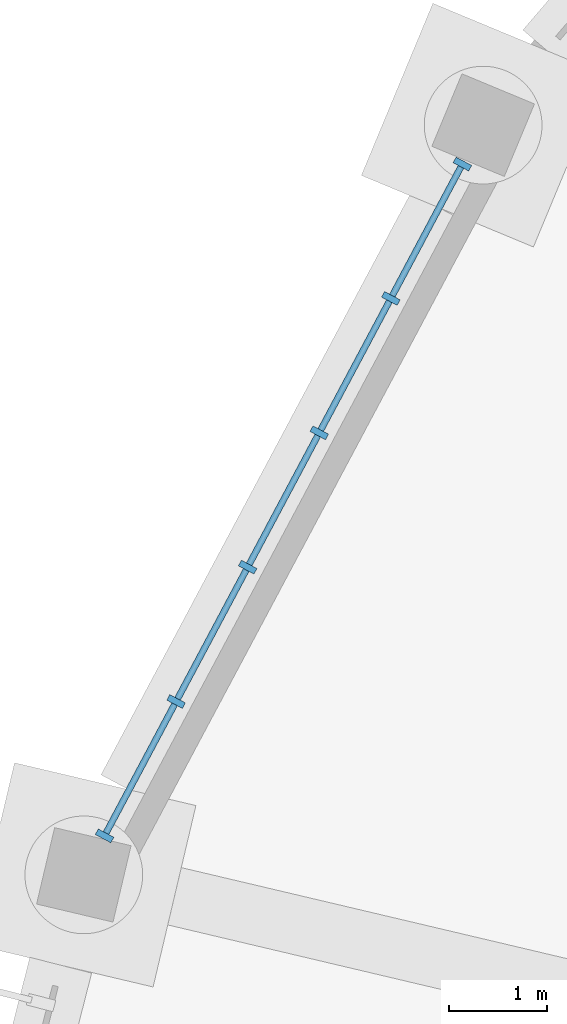
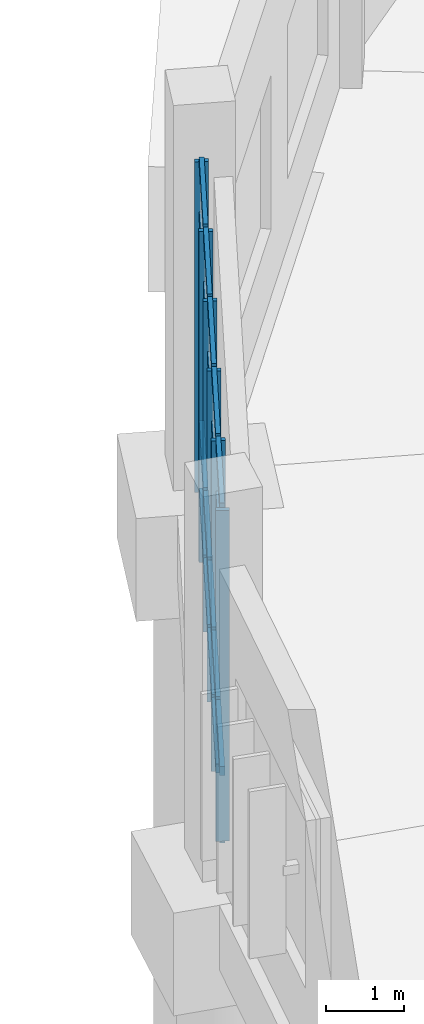
# One storey, part 33 of 140: 26 members, 1 element without a shape of its own.
"""IFC4 building model written with IfcOpenShell, lengths in metres."""

import ifcopenshell
import ifcopenshell.guid

model = None  # the IFC model being written
_history = None  # IfcOwnerHistory: only IFC2X3 demands one
_inside = {}  # id of a spatial element -> (the spatial element, [elements in it])
_under = {}  # id of a project, library or spatial element -> (it, [spatial elements below it])
_declared = {}  # id of a project -> (the project, [libraries it declares])
_typed = {}  # id of a type object -> (the type object, [elements of that type])
_made_of = {}  # id of a material, layer set ... -> (it, [elements and type objects made of it])


def new_model(schema):
    """Start an empty IFC model of exactly this schema.

    Asked for "IFC4X3", IfcOpenShell would pick the latest addendum, in which some entities
    have other attributes; the version numbers below select the first issue.
    IFC2X3 requires an IfcOwnerHistory on every rooted entity: one is made here for all.
    """
    global model, _history
    if schema == "IFC4X3":
        model = ifcopenshell.file(schema_version=(4, 3, 0, 0))
    else:
        model = ifcopenshell.file(schema=schema)
    _inside.clear()
    _under.clear()
    _declared.clear()
    _typed.clear()
    _made_of.clear()
    _history = None
    if model.schema == "IFC2X3":
        org = make("IfcOrganization", Name="unknown")
        user = make(
            "IfcPersonAndOrganization",
            ThePerson=make("IfcPerson", FamilyName="unknown"),
            TheOrganization=org,
        )
        app = make(
            "IfcApplication",
            ApplicationDeveloper=org,
            Version="unknown",
            ApplicationFullName="unknown",
            ApplicationIdentifier="unknown",
        )
        _history = make(
            "IfcOwnerHistory",
            OwningUser=user,
            OwningApplication=app,
            ChangeAction="ADDED",
            CreationDate=0,
        )
    return model


def make(cls, **values):
    """One entity of the class cls with the attributes given. An attribute that is None is left unset."""
    return model.create_entity(
        cls, **{name: value for name, value in values.items() if value is not None}
    )


def rooted(cls, **values):
    """An entity with a GlobalId (a new one), such as an element, a storey or a relation."""
    return make(cls, GlobalId=ifcopenshell.guid.new(), OwnerHistory=_history, **values)


def si_unit(unit_type, name, prefix=None):
    """IfcSIUnit, for example si_unit("LENGTHUNIT", "METRE", prefix="MILLI")."""
    return make("IfcSIUnit", UnitType=unit_type, Prefix=prefix, Name=name)


def assignment(units):
    """IfcUnitAssignment: the units of a project."""
    return None if units is None else make("IfcUnitAssignment", Units=units)


def point(xyz):
    """IfcCartesianPoint."""
    return None if xyz is None else make("IfcCartesianPoint", Coordinates=xyz)


def direction(xyz):
    """IfcDirection."""
    return None if xyz is None else make("IfcDirection", DirectionRatios=xyz)


def frame(location, z_axis=None, x_axis=None):
    """IfcAxis2Placement3D, a coordinate frame: its origin and axes. An axis left out is left unset."""
    return make(
        "IfcAxis2Placement3D",
        Location=point(location),
        Axis=direction(z_axis),
        RefDirection=direction(x_axis),
    )


def frame_2d(location, x_axis=None):
    """IfcAxis2Placement2D, a coordinate frame in the plane: its origin and x axis."""
    return make(
        "IfcAxis2Placement2D", Location=point(location), RefDirection=direction(x_axis)
    )


def origin():
    """The frame at (0, 0, 0) with its axes left unset."""
    return frame((0.0, 0.0, 0.0))


def origin_2d():
    """The frame at (0, 0) in the plane with its x axis left unset."""
    return frame_2d((0.0, 0.0))


def place(relative_to, where):
    """IfcLocalPlacement: puts the frame where relative to a parent placement (None: the world)."""
    return make(
        "IfcLocalPlacement", PlacementRelTo=relative_to, RelativePlacement=where
    )


def context(
    kind, dimensions, precision=None, world=None, true_north=None, identifier=None
):
    """IfcGeometricRepresentationContext, for example the 3D "Model" context."""
    return make(
        "IfcGeometricRepresentationContext",
        ContextIdentifier=identifier,
        ContextType=kind,
        CoordinateSpaceDimension=dimensions,
        Precision=precision,
        WorldCoordinateSystem=world,
        TrueNorth=true_north,
    )


def subcontext(parent, identifier, kind, view, scale=None):
    """IfcGeometricRepresentationSubContext, for example "Body" below "Model"."""
    return make(
        "IfcGeometricRepresentationSubContext",
        ContextIdentifier=identifier,
        ContextType=kind,
        ParentContext=parent,
        TargetScale=scale,
        TargetView=view,
    )


def project(units=None, contexts=None):
    """IfcProject with its units and contexts."""
    return rooted(
        "IfcProject",
        Name="project",
        RepresentationContexts=contexts,
        UnitsInContext=assignment(units),
    )


def spatial(cls, under=None, at=None, **own):
    """A site, building, storey or space (cls), placed at a placement, below another one or the project."""
    s = rooted(cls, ObjectPlacement=at, **own)
    if under is not None:
        _under.setdefault(under.id(), (under, []))[1].append(s)
    return s


def profile(cls, at=None, kind="AREA", **sizes):
    """A parametric profile (cls). Its sizes go by their IFC names, for example OverallWidth=200.0."""
    return make(cls, ProfileType=kind, Position=at, **sizes)


def rectangle(**sizes):
    """IfcRectangleProfileDef."""
    return profile("IfcRectangleProfileDef", **sizes)


def extrude(swept, where, along, depth):
    """IfcExtrudedAreaSolid: the profile swept, set in the frame where, extruded along a direction by depth."""
    return make(
        "IfcExtrudedAreaSolid",
        SweptArea=swept,
        Position=where,
        ExtrudedDirection=direction(along),
        Depth=depth,
    )


def shape(context_of_items, identifier, shape_type, items):
    """IfcShapeRepresentation: the items that make up one representation, for example the "Body"."""
    return make(
        "IfcShapeRepresentation",
        ContextOfItems=context_of_items,
        RepresentationIdentifier=identifier,
        RepresentationType=shape_type,
        Items=items,
    )


def material(Name=None, Category=None):
    """IfcMaterial."""
    return make("IfcMaterial", Name=Name, Category=Category)


def layer(
    of_material, thickness, ventilated=None, Name=None, Category=None, Priority=None
):
    """IfcMaterialLayer: one layer of a wall or slab, of a material (None: an air gap)."""
    return make(
        "IfcMaterialLayer",
        Material=of_material,
        LayerThickness=thickness,
        IsVentilated=ventilated,
        Name=Name,
        Category=Category,
        Priority=Priority,
    )


def layer_set(layers, Name=None):
    """IfcMaterialLayerSet."""
    return make("IfcMaterialLayerSet", MaterialLayers=layers, LayerSetName=Name)


def material_profile(
    of_material, cross_section, Name=None, Category=None, Priority=None
):
    """IfcMaterialProfile: a cross section and its material."""
    return make(
        "IfcMaterialProfile",
        Name=Name,
        Material=of_material,
        Profile=cross_section,
        Priority=Priority,
        Category=Category,
    )


def profile_set(profiles, Name=None, composite=None):
    """IfcMaterialProfileSet."""
    return make(
        "IfcMaterialProfileSet",
        Name=Name,
        MaterialProfiles=profiles,
        CompositeProfile=composite,
    )


def made_of(thing, what):
    """Note that an element or type object is made of a material, layer set ...; save() writes the relation."""
    if what is not None:
        _made_of.setdefault(what.id(), (what, []))[1].append(thing)
    return thing


def type_object(cls, material=None, **own):
    """A type object (cls), such as IfcWallType, which elements share."""
    return made_of(rooted(cls, **own), material)


def element(
    cls,
    number,
    at=None,
    inside=None,
    cuts=None,
    type_object=None,
    material=None,
    context=None,
    identifier="Body",
    shape_type=None,
    held_by="IfcProductDefinitionShape",
    body=None,
    shapes=None,
    **own,
):
    """One element of the class cls, such as IfcWall. Its Tag is "e" and its number.

    at: its placement. inside: the storey or other place that contains it. cuts: it is an
    opening in that element (IfcRelVoidsElement). A single representation is given by context,
    identifier, shape_type and body (its items); several are given by shapes. held_by: the class
    of the entity that holds the representations. save() writes the other relations.
    """
    e = rooted(cls, Tag="e%d" % number, ObjectPlacement=at, **own)
    if body is not None:
        shapes = [shape(context, identifier, shape_type, body)]
    if shapes is not None:
        e.Representation = make(held_by, Representations=shapes)
    if inside is not None:
        _inside.setdefault(inside.id(), (inside, []))[1].append(e)
    if cuts is not None:
        rooted(
            "IfcRelVoidsElement", RelatingBuildingElement=cuts, RelatedOpeningElement=e
        )
    if type_object is not None:
        _typed.setdefault(type_object.id(), (type_object, []))[1].append(e)
    return made_of(e, material)


def aggregate(whole, parts):
    """IfcRelAggregates: a whole, such as a stair, and the parts it consists of."""
    return rooted("IfcRelAggregates", RelatingObject=whole, RelatedObjects=parts)


def save(model, path):
    """Write the relations noted so far, then the file.

    IfcRelAggregates (storeys below a building ...), IfcRelContainedInSpatialStructure (elements
    in a storey), IfcRelDefinesByType, IfcRelAssociatesMaterial and IfcRelDeclares: one each for
    every whole, place, type object, material and project.
    """
    for whole, parts in _under.values():
        aggregate(whole, parts)
    for where, things in _inside.values():
        rooted(
            "IfcRelContainedInSpatialStructure",
            RelatedElements=things,
            RelatingStructure=where,
        )
    for kind, things in _typed.values():
        rooted("IfcRelDefinesByType", RelatedObjects=things, RelatingType=kind)
    for what, things in _made_of.values():
        rooted("IfcRelAssociatesMaterial", RelatedObjects=things, RelatingMaterial=what)
    for by, libraries in _declared.values():
        rooted("IfcRelDeclares", RelatingContext=by, RelatedDefinitions=libraries)
    model.write(path)


model = new_model("IFC4")

# Units and contexts
model_context = context("Model", 3, precision=1e-05, world=origin(), true_north=direction((0.0, 1.0)))
body_context = subcontext(model_context, "Body", "Model", "MODEL_VIEW")
ifc_project = project(units=[si_unit("LENGTHUNIT", "METRE"), si_unit("AREAUNIT", "SQUARE_METRE"), si_unit("VOLUMEUNIT", "CUBIC_METRE"), si_unit("PLANEANGLEUNIT", "RADIAN"), si_unit("MASSUNIT", "GRAM", prefix="KILO")], contexts=[model_context])

# Site, building, storey
site_placement = place(None, origin())
site = spatial("IfcSite", under=ifc_project, at=site_placement, CompositionType="ELEMENT")
building_placement = place(site_placement, origin())
building = spatial("IfcBuilding", under=site, at=building_placement, Name="Corvandel Quay Wholesale Market", CompositionType="ELEMENT")
storey_placement = place(building_placement, origin())
storey = spatial("IfcBuildingStorey", under=building, at=storey_placement, Name="L00", CompositionType="ELEMENT", Elevation=0.0)

# Curtain wall, members
ifc_material_1 = material(Name="Bronze anodised aluminium and low-E insulated glazing", Category="aluminium")
ifc_layer = layer(ifc_material_1, 0.197998046875)
ifc_layer_set = layer_set([ifc_layer], Name="Bronze anodised aluminium and low-E insulated glazing")
curtain_wall_type = type_object("IfcCurtainWallType", Name="Stick Curtain Wall System CW14 H4260", PredefinedType="NOTDEFINED", material=ifc_layer_set)
curtain_wall_placement = place(storey_placement, origin())
curtain_wall = element("IfcCurtainWall", 1, at=curtain_wall_placement, inside=storey, type_object=curtain_wall_type, Name="Curtain Wall CW-0040", PredefinedType="NOTDEFINED")
ifc_material_2 = material(Name="Anodised aluminium 6063-T6", Category="aluminium")
ifc_material_profile_1 = material_profile(ifc_material_2, rectangle(XDim=0.06494140625, YDim=0.179931640625, at=origin_2d()), Name="ALU-MUL-65x180")
ifc_profile_set_1 = profile_set([ifc_material_profile_1], Name="Anodised aluminium 6063-T6")
member_type_1 = type_object("IfcMemberType", Name="Curtain Wall Mullion ML01 65x180", PredefinedType="MULLION", material=ifc_profile_set_1)
member_1_placement = place(storey_placement, frame((65.9345703125, 61.496826171875, 0.0), z_axis=(0.0, 0.0, 1.0), x_axis=(0.470087862033, 0.882619624736, 0.0)))
member_1 = element("IfcMember", 2, at=member_1_placement, type_object=member_type_1, Name="Mullion CW-0040-M00", PredefinedType="MULLION", context=body_context, shape_type="SweptSolid", body=[
    extrude(rectangle(XDim=0.06494140625, YDim=0.179931640625, at=origin_2d()), origin(), (0.0, 0.0, 1.0), 5.14990234375),
])
member_2_placement = place(storey_placement, frame((65.204833984375, 60.127197265625, 0.0), z_axis=(0.0, 0.0, 1.0), x_axis=(0.470087862033, 0.882619624736, 0.0)))
member_2 = element("IfcMember", 3, at=member_2_placement, type_object=member_type_1, Name="Mullion CW-0040-M01", PredefinedType="MULLION", context=body_context, shape_type="SweptSolid", body=[
    extrude(rectangle(XDim=0.06494140625, YDim=0.179931640625, at=origin_2d()), origin(), (0.0, 0.0, 1.0), 5.14990234375),
])
member_3_placement = place(storey_placement, frame((64.475341796875, 58.75732421875, 0.0), z_axis=(0.0, 0.0, 1.0), x_axis=(0.470087862033, 0.882619624736, 0.0)))
member_3 = element("IfcMember", 4, at=member_3_placement, type_object=member_type_1, Name="Mullion CW-0040-M02", PredefinedType="MULLION", context=body_context, shape_type="SweptSolid", body=[
    extrude(rectangle(XDim=0.06494140625, YDim=0.179931640625, at=origin_2d()), origin(), (0.0, 0.0, 1.0), 5.14990234375),
])
member_4_placement = place(storey_placement, frame((63.74560546875, 57.3876953125, 0.0), z_axis=(0.0, 0.0, 1.0), x_axis=(0.470087862033, 0.882619624736, 0.0)))
member_4 = element("IfcMember", 5, at=member_4_placement, type_object=member_type_1, Name="Mullion CW-0040-M03", PredefinedType="MULLION", context=body_context, shape_type="SweptSolid", body=[
    extrude(rectangle(XDim=0.06494140625, YDim=0.179931640625, at=origin_2d()), origin(), (0.0, 0.0, 1.0), 5.14990234375),
])
member_5_placement = place(storey_placement, frame((63.01611328125, 56.017822265625, 0.0), z_axis=(0.0, 0.0, 1.0), x_axis=(0.470087862033, 0.882619624736, 0.0)))
member_5 = element("IfcMember", 6, at=member_5_placement, type_object=member_type_1, Name="Mullion CW-0040-M04", PredefinedType="MULLION", context=body_context, shape_type="SweptSolid", body=[
    extrude(rectangle(XDim=0.06494140625, YDim=0.179931640625, at=origin_2d()), origin(), (0.0, 0.0, 1.0), 5.14990234375),
])
member_6_placement = place(storey_placement, frame((62.28662109375, 54.648193359375, 0.0), z_axis=(0.0, 0.0, 1.0), x_axis=(0.470087862033, 0.882619624736, 0.0)))
member_6 = element("IfcMember", 7, at=member_6_placement, type_object=member_type_1, Name="Mullion CW-0040-M05", PredefinedType="MULLION", context=body_context, shape_type="SweptSolid", body=[
    extrude(rectangle(XDim=0.06494140625, YDim=0.179931640625, at=origin_2d()), origin(), (0.0, 0.0, 1.0), 5.14990234375),
])
ifc_material_profile_2 = material_profile(ifc_material_2, rectangle(XDim=0.06494140625, YDim=0.139892578125, at=origin_2d()), Name="ALU-TRN-65x140")
ifc_profile_set_2 = profile_set([ifc_material_profile_2], Name="Anodised aluminium 6063-T6")
member_type_2 = type_object("IfcMemberType", Name="Curtain Wall Transom TR01 65x140", PredefinedType="USERDEFINED", material=ifc_profile_set_2)
member_7_placement = place(storey_placement, frame((65.919189453125, 61.468017578125, 0.0), z_axis=(-0.470119417089, -0.882602817623, 0.0), x_axis=(0.882602817623, -0.470119417089, 0.0)))
member_7 = element("IfcMember", 8, at=member_7_placement, type_object=member_type_2, Name="Transom CW-0040-T00-0", ObjectType="TRANSOM", PredefinedType="USERDEFINED", context=body_context, shape_type="SweptSolid", body=[
    extrude(rectangle(XDim=0.06494140625, YDim=0.139892578125, at=origin_2d()), origin(), (0.0, 0.0, 1.0), 1.48681640625),
])
member_8_placement = place(storey_placement, frame((65.919189453125, 61.468017578125, 1.050048828125), z_axis=(-0.470119417089, -0.882602817623, 0.0), x_axis=(0.882602817623, -0.470119417089, 0.0)))
member_8 = element("IfcMember", 9, at=member_8_placement, type_object=member_type_2, Name="Transom CW-0040-T00-1", ObjectType="TRANSOM", PredefinedType="USERDEFINED", context=body_context, shape_type="SweptSolid", body=[
    extrude(rectangle(XDim=0.06494140625, YDim=0.139892578125, at=origin_2d()), origin(), (0.0, 0.0, 1.0), 1.48681640625),
])
member_9_placement = place(storey_placement, frame((65.919189453125, 61.468017578125, 4.300048828125), z_axis=(-0.470119417089, -0.882602817623, 0.0), x_axis=(0.882602817623, -0.470119417089, 0.0)))
member_9 = element("IfcMember", 10, at=member_9_placement, type_object=member_type_2, Name="Transom CW-0040-T00-2", ObjectType="TRANSOM", PredefinedType="USERDEFINED", context=body_context, shape_type="SweptSolid", body=[
    extrude(rectangle(XDim=0.06494140625, YDim=0.139892578125, at=origin_2d()), origin(), (0.0, 0.0, 1.0), 1.48681640625),
])
member_10_placement = place(storey_placement, frame((65.919189453125, 61.468017578125, 5.14990234375), z_axis=(-0.470119417089, -0.882602817623, 0.0), x_axis=(0.882602817623, -0.470119417089, 0.0)))
member_10 = element("IfcMember", 11, at=member_10_placement, type_object=member_type_2, Name="Transom CW-0040-T00-3", ObjectType="TRANSOM", PredefinedType="USERDEFINED", context=body_context, shape_type="SweptSolid", body=[
    extrude(rectangle(XDim=0.06494140625, YDim=0.139892578125, at=origin_2d()), origin(), (0.0, 0.0, 1.0), 1.48681640625),
])
member_11_placement = place(storey_placement, frame((65.189697265625, 60.098388671875, 0.0), z_axis=(-0.470179183109, -0.882570980585, 0.0), x_axis=(0.882570980585, -0.470179183109, 0.0)))
member_11 = element("IfcMember", 12, at=member_11_placement, type_object=member_type_2, Name="Transom CW-0040-T01-0", ObjectType="TRANSOM", PredefinedType="USERDEFINED", context=body_context, shape_type="SweptSolid", body=[
    extrude(rectangle(XDim=0.06494140625, YDim=0.139892578125, at=origin_2d()), origin(), (0.0, 0.0, 1.0), 1.487060546875),
])
member_12_placement = place(storey_placement, frame((65.189697265625, 60.098388671875, 1.050048828125), z_axis=(-0.470179183109, -0.882570980585, 0.0), x_axis=(0.882570980585, -0.470179183109, 0.0)))
member_12 = element("IfcMember", 13, at=member_12_placement, type_object=member_type_2, Name="Transom CW-0040-T01-1", ObjectType="TRANSOM", PredefinedType="USERDEFINED", context=body_context, shape_type="SweptSolid", body=[
    extrude(rectangle(XDim=0.06494140625, YDim=0.139892578125, at=origin_2d()), origin(), (0.0, 0.0, 1.0), 1.487060546875),
])
member_13_placement = place(storey_placement, frame((65.189697265625, 60.098388671875, 4.300048828125), z_axis=(-0.470179183109, -0.882570980585, 0.0), x_axis=(0.882570980585, -0.470179183109, 0.0)))
member_13 = element("IfcMember", 14, at=member_13_placement, type_object=member_type_2, Name="Transom CW-0040-T01-2", ObjectType="TRANSOM", PredefinedType="USERDEFINED", context=body_context, shape_type="SweptSolid", body=[
    extrude(rectangle(XDim=0.06494140625, YDim=0.139892578125, at=origin_2d()), origin(), (0.0, 0.0, 1.0), 1.487060546875),
])
member_14_placement = place(storey_placement, frame((65.189697265625, 60.098388671875, 5.14990234375), z_axis=(-0.470179183109, -0.882570980585, 0.0), x_axis=(0.882570980585, -0.470179183109, 0.0)))
member_14 = element("IfcMember", 15, at=member_14_placement, type_object=member_type_2, Name="Transom CW-0040-T01-3", ObjectType="TRANSOM", PredefinedType="USERDEFINED", context=body_context, shape_type="SweptSolid", body=[
    extrude(rectangle(XDim=0.06494140625, YDim=0.139892578125, at=origin_2d()), origin(), (0.0, 0.0, 1.0), 1.487060546875),
])
member_15_placement = place(storey_placement, frame((64.4599609375, 58.728759765625, 0.0), z_axis=(-0.470051292118, -0.882639101093, 0.0), x_axis=(0.882639101093, -0.470051292118, 0.0)))
member_15 = element("IfcMember", 16, at=member_15_placement, type_object=member_type_2, Name="Transom CW-0040-T02-0", ObjectType="TRANSOM", PredefinedType="USERDEFINED", context=body_context, shape_type="SweptSolid", body=[
    extrude(rectangle(XDim=0.06494140625, YDim=0.139892578125, at=origin_2d()), origin(), (0.0, 0.0, 1.0), 1.487060546875),
])
member_16_placement = place(storey_placement, frame((64.4599609375, 58.728759765625, 1.050048828125), z_axis=(-0.470051292118, -0.882639101093, 0.0), x_axis=(0.882639101093, -0.470051292118, 0.0)))
member_16 = element("IfcMember", 17, at=member_16_placement, type_object=member_type_2, Name="Transom CW-0040-T02-1", ObjectType="TRANSOM", PredefinedType="USERDEFINED", context=body_context, shape_type="SweptSolid", body=[
    extrude(rectangle(XDim=0.06494140625, YDim=0.139892578125, at=origin_2d()), origin(), (0.0, 0.0, 1.0), 1.487060546875),
])
member_17_placement = place(storey_placement, frame((64.4599609375, 58.728759765625, 4.300048828125), z_axis=(-0.470051292118, -0.882639101093, 0.0), x_axis=(0.882639101093, -0.470051292118, 0.0)))
member_17 = element("IfcMember", 18, at=member_17_placement, type_object=member_type_2, Name="Transom CW-0040-T02-2", ObjectType="TRANSOM", PredefinedType="USERDEFINED", context=body_context, shape_type="SweptSolid", body=[
    extrude(rectangle(XDim=0.06494140625, YDim=0.139892578125, at=origin_2d()), origin(), (0.0, 0.0, 1.0), 1.487060546875),
])
member_18_placement = place(storey_placement, frame((64.4599609375, 58.728759765625, 5.14990234375), z_axis=(-0.470051292118, -0.882639101093, 0.0), x_axis=(0.882639101093, -0.470051292118, 0.0)))
member_18 = element("IfcMember", 19, at=member_18_placement, type_object=member_type_2, Name="Transom CW-0040-T02-3", ObjectType="TRANSOM", PredefinedType="USERDEFINED", context=body_context, shape_type="SweptSolid", body=[
    extrude(rectangle(XDim=0.06494140625, YDim=0.139892578125, at=origin_2d()), origin(), (0.0, 0.0, 1.0), 1.487060546875),
])
member_19_placement = place(storey_placement, frame((63.73046875, 57.35888671875, 0.0), z_axis=(-0.470119417089, -0.882602817623, 0.0), x_axis=(0.882602817623, -0.470119417089, 0.0)))
member_19 = element("IfcMember", 20, at=member_19_placement, type_object=member_type_2, Name="Transom CW-0040-T03-0", ObjectType="TRANSOM", PredefinedType="USERDEFINED", context=body_context, shape_type="SweptSolid", body=[
    extrude(rectangle(XDim=0.06494140625, YDim=0.139892578125, at=origin_2d()), origin(), (0.0, 0.0, 1.0), 1.48681640625),
])
member_20_placement = place(storey_placement, frame((63.73046875, 57.35888671875, 1.050048828125), z_axis=(-0.470119417089, -0.882602817623, 0.0), x_axis=(0.882602817623, -0.470119417089, 0.0)))
member_20 = element("IfcMember", 21, at=member_20_placement, type_object=member_type_2, Name="Transom CW-0040-T03-1", ObjectType="TRANSOM", PredefinedType="USERDEFINED", context=body_context, shape_type="SweptSolid", body=[
    extrude(rectangle(XDim=0.06494140625, YDim=0.139892578125, at=origin_2d()), origin(), (0.0, 0.0, 1.0), 1.48681640625),
])
member_21_placement = place(storey_placement, frame((63.73046875, 57.35888671875, 4.300048828125), z_axis=(-0.470119417089, -0.882602817623, 0.0), x_axis=(0.882602817623, -0.470119417089, 0.0)))
member_21 = element("IfcMember", 22, at=member_21_placement, type_object=member_type_2, Name="Transom CW-0040-T03-2", ObjectType="TRANSOM", PredefinedType="USERDEFINED", context=body_context, shape_type="SweptSolid", body=[
    extrude(rectangle(XDim=0.06494140625, YDim=0.139892578125, at=origin_2d()), origin(), (0.0, 0.0, 1.0), 1.48681640625),
])
member_22_placement = place(storey_placement, frame((63.73046875, 57.35888671875, 5.14990234375), z_axis=(-0.470119417089, -0.882602817623, 0.0), x_axis=(0.882602817623, -0.470119417089, 0.0)))
member_22 = element("IfcMember", 23, at=member_22_placement, type_object=member_type_2, Name="Transom CW-0040-T03-3", ObjectType="TRANSOM", PredefinedType="USERDEFINED", context=body_context, shape_type="SweptSolid", body=[
    extrude(rectangle(XDim=0.06494140625, YDim=0.139892578125, at=origin_2d()), origin(), (0.0, 0.0, 1.0), 1.48681640625),
])
member_23_placement = place(storey_placement, frame((63.000732421875, 55.9892578125, 0.0), z_axis=(-0.470119417089, -0.882602817623, 0.0), x_axis=(0.882602817623, -0.470119417089, 0.0)))
member_23 = element("IfcMember", 24, at=member_23_placement, type_object=member_type_2, Name="Transom CW-0040-T04-0", ObjectType="TRANSOM", PredefinedType="USERDEFINED", context=body_context, shape_type="SweptSolid", body=[
    extrude(rectangle(XDim=0.06494140625, YDim=0.139892578125, at=origin_2d()), origin(), (0.0, 0.0, 1.0), 1.48681640625),
])
member_24_placement = place(storey_placement, frame((63.000732421875, 55.9892578125, 1.050048828125), z_axis=(-0.470119417089, -0.882602817623, 0.0), x_axis=(0.882602817623, -0.470119417089, 0.0)))
member_24 = element("IfcMember", 25, at=member_24_placement, type_object=member_type_2, Name="Transom CW-0040-T04-1", ObjectType="TRANSOM", PredefinedType="USERDEFINED", context=body_context, shape_type="SweptSolid", body=[
    extrude(rectangle(XDim=0.06494140625, YDim=0.139892578125, at=origin_2d()), origin(), (0.0, 0.0, 1.0), 1.48681640625),
])
member_25_placement = place(storey_placement, frame((63.000732421875, 55.9892578125, 4.300048828125), z_axis=(-0.470119417089, -0.882602817623, 0.0), x_axis=(0.882602817623, -0.470119417089, 0.0)))
member_25 = element("IfcMember", 26, at=member_25_placement, type_object=member_type_2, Name="Transom CW-0040-T04-2", ObjectType="TRANSOM", PredefinedType="USERDEFINED", context=body_context, shape_type="SweptSolid", body=[
    extrude(rectangle(XDim=0.06494140625, YDim=0.139892578125, at=origin_2d()), origin(), (0.0, 0.0, 1.0), 1.48681640625),
])
member_26_placement = place(storey_placement, frame((63.000732421875, 55.9892578125, 5.14990234375), z_axis=(-0.470119417089, -0.882602817623, 0.0), x_axis=(0.882602817623, -0.470119417089, 0.0)))
member_26 = element("IfcMember", 27, at=member_26_placement, type_object=member_type_2, Name="Transom CW-0040-T04-3", ObjectType="TRANSOM", PredefinedType="USERDEFINED", context=body_context, shape_type="SweptSolid", body=[
    extrude(rectangle(XDim=0.06494140625, YDim=0.139892578125, at=origin_2d()), origin(), (0.0, 0.0, 1.0), 1.48681640625),
])
aggregate(curtain_wall, [member_1, member_2, member_3, member_4, member_5, member_6, member_7, member_8, member_9, member_10, member_11, member_12, member_13, member_14, member_15, member_16, member_17, member_18, member_19, member_20, member_21, member_22, member_23, member_24, member_25, member_26])

save(model, "model.ifc")
